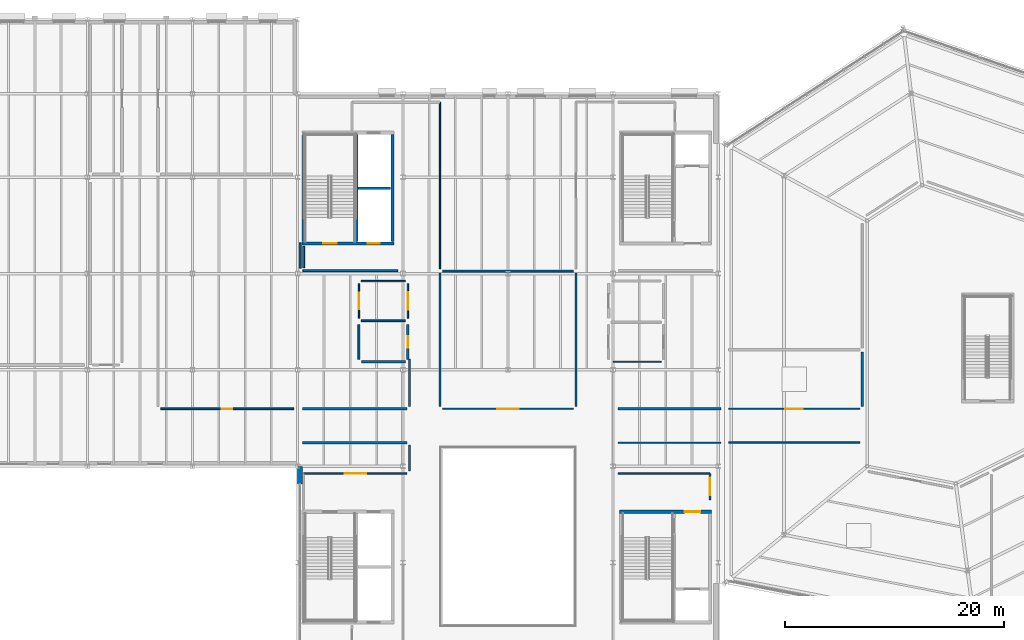
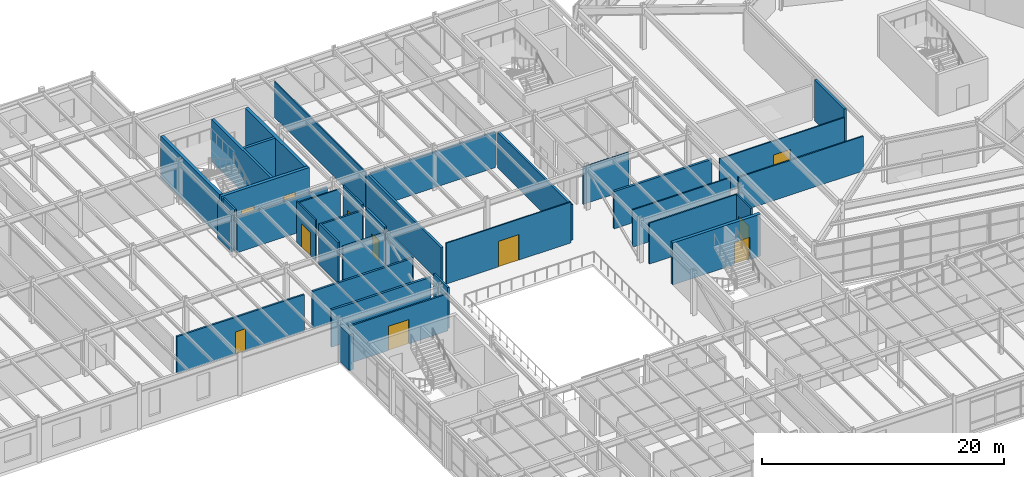
# One storey, part 74 of 88: 36 walls, 11 doors, 11 openings.
"""IFC4 building model written with IfcOpenShell, lengths in metres."""

from ifc_helpers import new_model, si_unit, direction, frame, frame_2d, origin, place, context, subcontext, project, spatial, rectangle, extrude, material, layer, layer_set, type_object, element, fill, save


model = new_model("IFC4")

# Units and contexts
model_context = context("Model", 3, precision=1e-05, world=origin(), true_north=direction((0.0, 1.0)))
body_context = subcontext(model_context, "Body", "Model", "MODEL_VIEW")
ifc_project = project(units=[si_unit("LENGTHUNIT", "METRE"), si_unit("AREAUNIT", "SQUARE_METRE"), si_unit("VOLUMEUNIT", "CUBIC_METRE"), si_unit("PLANEANGLEUNIT", "RADIAN"), si_unit("MASSUNIT", "GRAM", prefix="KILO")], contexts=[model_context])

# Site, building, storey
site_placement = place(None, origin())
site = spatial("IfcSite", under=ifc_project, at=site_placement, CompositionType="ELEMENT")
building_placement = place(site_placement, origin())
building = spatial("IfcBuilding", under=site, at=building_placement, Name="Sarnbrook Museum", CompositionType="ELEMENT")
storey_placement = place(building_placement, frame((0.0, 0.0, 10.10009765625)))
storey = spatial("IfcBuildingStorey", under=building, at=storey_placement, Name="L02", CompositionType="ELEMENT", Elevation=10.10009765625)

# Wall, opening, door
ifc_material_1 = material(Name="Concrete N50 (AS 3600, f'c = 50 MPa)", Category="concrete")
ifc_layer_1 = layer(ifc_material_1, 0.300048828125)
ifc_layer_set_1 = layer_set([ifc_layer_1], Name="Concrete N50 (AS 3600, f'c = 50 MPa)")
wall_type_1 = type_object("IfcWallType", Name="CoreWall_CWRC", PredefinedType="SHEAR", material=ifc_layer_set_1)
wall_1_placement = place(storey_placement, frame((118.60009765625, 70.25, 0.0), z_axis=(0.0, 0.0, 1.0), x_axis=(-1.0, 0.0, 0.0)))
wall_1 = element("IfcWall", 1, at=wall_1_placement, inside=storey, type_object=wall_type_1, Name="Core C1 Shear Wall N L02", PredefinedType="SHEAR", context=body_context, shape_type="SweptSolid", body=[
    extrude(rectangle(XDim=8.400146484375, YDim=0.300048828125, at=frame_2d((4.2001953125, 0.0))), origin(), (0.0, 0.0, 1.0), 4.244873046875),
])
opening_1_placement = place(wall_1_placement, frame((1.02490234375, 0.0, 0.0)))
opening_1 = element("IfcOpeningElement", 2, at=opening_1_placement, cuts=wall_1, Name="Opening D-LOB-C1-L02", PredefinedType="OPENING", context=body_context, shape_type="SweptSolid", body=[
    extrude(rectangle(XDim=1.449951171875, YDim=2.25, at=frame_2d((0.72509765625, 1.125))), frame((0.0, 0.16015625, 0.0), z_axis=(0.0, -1.0, 0.0), x_axis=(1.0, 0.0, 0.0)), (0.0, 0.0, 1.0), 0.320068359375),
])
ifc_material_2 = material(Name="Tasmanian Oak Acoustic Timber", Category="wood")
door_type_1 = type_object("IfcDoorType", Name="FireDoor_FD120W", OperationType="NOTDEFINED", PredefinedType="DOOR", material=ifc_material_2)
door_1_placement = place(opening_1_placement, origin())
door_1 = element("IfcDoor", 3, at=door_1_placement, inside=storey, type_object=door_type_1, Name="Core C1 Fire Lobby Entry Door L02", OperationType="SINGLE_SWING_RIGHT", OverallHeight=2.25, OverallWidth=1.449951171875, PredefinedType="DOOR", context=body_context, shape_type="SweptSolid", body=[
    extrude(rectangle(XDim=1.449951171875, YDim=2.25, at=frame_2d((0.72509765625, 1.125))), frame((0.0, 0.02490234375, 0.0), z_axis=(0.0, -1.0, 0.0), x_axis=(1.0, 0.0, 0.0)), (0.0, 0.0, 1.0), 0.050048828125),
])
fill(opening_1, door_1)

# Wall, openings, doors
wall_2_placement = place(storey_placement, frame((81.199951171875, 94.75, 0.0), z_axis=(0.0, 0.0, 1.0), x_axis=(1.0, 0.0, 0.0)))
wall_2 = element("IfcWall", 4, at=wall_2_placement, inside=storey, type_object=wall_type_1, Name="Core C4 Shear Wall S L02", PredefinedType="SHEAR", context=body_context, shape_type="SweptSolid", body=[
    extrude(rectangle(XDim=8.400146484375, YDim=0.300048828125, at=frame_2d((4.2001953125, 0.0))), origin(), (0.0, 0.0, 1.0), 4.244873046875),
])
opening_2_placement = place(wall_2_placement, frame((1.925048828125, 0.0, 0.0)))
opening_2 = element("IfcOpeningElement", 5, at=opening_2_placement, cuts=wall_2, Name="Opening D-ST-ST4-L02", PredefinedType="OPENING", context=body_context, shape_type="SweptSolid", body=[
    extrude(rectangle(XDim=1.25, YDim=2.199951171875, at=frame_2d((0.625, 1.10009765625))), frame((0.0, 0.16015625, 0.0), z_axis=(0.0, -1.0, 0.0), x_axis=(1.0, 0.0, 0.0)), (0.0, 0.0, 1.0), 0.320068359375),
])
opening_3_placement = place(wall_2_placement, frame((6.0, 0.0, 0.0)))
opening_3 = element("IfcOpeningElement", 6, at=opening_3_placement, cuts=wall_2, Name="Opening LD-PL3-L02", PredefinedType="OPENING", context=body_context, shape_type="SweptSolid", body=[
    extrude(rectangle(XDim=1.10009765625, YDim=2.199951171875, at=frame_2d((0.550048828125, 1.10009765625))), frame((0.0, 0.16015625, 0.0), z_axis=(0.0, -1.0, 0.0), x_axis=(1.0, 0.0, 0.0)), (0.0, 0.0, 1.0), 0.320068359375),
])
door_type_2 = type_object("IfcDoorType", Name="FireDoor_FD120", OperationType="NOTDEFINED", PredefinedType="DOOR", material=ifc_material_2)
door_2_placement = place(opening_2_placement, origin())
door_2 = element("IfcDoor", 7, at=door_2_placement, inside=storey, type_object=door_type_2, Name="Exit Stair ST4 Fire Door L02", OperationType="SINGLE_SWING_RIGHT", OverallHeight=2.199951171875, OverallWidth=1.25, PredefinedType="DOOR", context=body_context, shape_type="SweptSolid", body=[
    extrude(rectangle(XDim=1.25, YDim=2.199951171875, at=frame_2d((0.625, 1.10009765625))), frame((0.0, 0.02490234375, 0.0), z_axis=(0.0, -1.0, 0.0), x_axis=(1.0, 0.0, 0.0)), (0.0, 0.0, 1.0), 0.050048828125),
])
fill(opening_2, door_2)
ifc_material_3 = material(Name="Brushed Stainless Steel Grade 316", Category="steel")
door_type_3 = type_object("IfcDoorType", Name="LiftDoor_Pax110", OperationType="DOUBLE_DOOR_SLIDING", PredefinedType="DOOR", material=ifc_material_3)
door_3_placement = place(opening_3_placement, origin())
door_3 = element("IfcDoor", 8, at=door_3_placement, inside=storey, type_object=door_type_3, Name="Lift Landing Sliding Door LD-PL3-L02", OperationType="DOUBLE_DOOR_SLIDING", OverallHeight=2.199951171875, OverallWidth=1.10009765625, PredefinedType="DOOR", context=body_context, shape_type="SweptSolid", body=[
    extrude(rectangle(XDim=1.10009765625, YDim=2.199951171875, at=frame_2d((0.550048828125, 1.10009765625))), frame((0.0, 0.02490234375, 0.0), z_axis=(0.0, -1.0, 0.0), x_axis=(1.0, 0.0, 0.0)), (0.0, 0.0, 1.0), 0.050048828125),
])
fill(opening_3, door_3)

# Walls
for number, where, z_axis, x_axis, name in (
    (9, (89.449951171875, 94.909912109375, 0.0), (0.0, 0.0, 1.0), (0.0, 1.0, 0.0), "Core C4 Shear Wall E L02"),
    (10, (81.35009765625, 104.68994140625, 0.0), (0.0, 0.0, 1.0), (0.0, -1.0, 0.0), "Core C4 Shear Wall W L02"),
):
    element("IfcWall", number, at=place(storey_placement, frame(where, z_axis=z_axis, x_axis=x_axis)), inside=storey, type_object=wall_type_1, Name=name, PredefinedType="SHEAR", context=body_context, shape_type="SweptSolid", body=[
        extrude(rectangle(XDim=9.780029296875, YDim=0.300048828125, at=frame_2d((4.89013671875, 0.0))), origin(), (0.0, 0.0, 1.0), 4.244873046875),
    ])
ifc_material_4 = material(Name="Fire-Rated Acoustic Gypsum Plasterboard")
ifc_layer_2 = layer(ifc_material_4, 0.1201171875)
ifc_layer_set_2 = layer_set([ifc_layer_2], Name="Fire-Rated Acoustic Gypsum Plasterboard")
wall_type_2 = type_object("IfcWallType", Name="PartWall_P120", PredefinedType="PARTITIONING", material=ifc_layer_set_2)
wall_3_placement = place(storey_placement, frame((113.97998046875, 83.93994140625, 0.0), z_axis=(0.0, 0.0, 1.0), x_axis=(-1.0, 0.0, 0.0)))
element("IfcWall", 11, at=wall_3_placement, inside=storey, type_object=wall_type_2, Name="Interior Partition Wall L02-0454", PredefinedType="PARTITIONING", context=body_context, shape_type="SweptSolid", body=[
    extrude(rectangle(XDim=4.389892578125, YDim=0.1201171875, at=frame_2d((2.19482421875, 0.0))), origin(), (0.0, 0.0, 1.0), 3.762939453125),
])

# Wall, opening, door
wall_4_placement = place(storey_placement, frame((86.389892578125, 87.919921875, 0.0), z_axis=(0.0, 0.0, 1.0), x_axis=(0.0, 1.0, 0.0)))
wall_4 = element("IfcWall", 12, at=wall_4_placement, inside=storey, type_object=wall_type_2, Name="Interior Partition Wall L02-0461", PredefinedType="PARTITIONING", context=body_context, shape_type="SweptSolid", body=[
    extrude(rectangle(XDim=3.16015625, YDim=0.1201171875, at=frame_2d((1.580078125, 0.0))), origin(), (0.0, 0.0, 1.0), 4.1298828125),
])
opening_4_placement = place(wall_4_placement, frame((0.820068359375, 0.0, 0.0)))
opening_4 = element("IfcOpeningElement", 13, at=opening_4_placement, cuts=wall_4, Name="Opening D-L02-139", PredefinedType="OPENING", context=body_context, shape_type="SweptSolid", body=[
    extrude(rectangle(XDim=1.52001953125, YDim=2.340087890625, at=frame_2d((0.760009765625, 1.169921875))), frame((0.0, 0.070068359375, 0.0), z_axis=(0.0, -1.0, 0.0), x_axis=(1.0, 0.0, 0.0)), (0.0, 0.0, 1.0), 0.14013671875),
])
door_type_4 = type_object("IfcDoorType", Name="IntDoor_DT25", OperationType="NOTDEFINED", PredefinedType="DOOR", material=ifc_material_2)
door_4_placement = place(opening_4_placement, frame((1.52001953125, 0.0, 0.0), z_axis=(0.0, 0.0, 1.0), x_axis=(-1.0, 0.0, 0.0)))
door_4 = element("IfcDoor", 14, at=door_4_placement, inside=storey, type_object=door_type_4, Name="Cantilevered Stone Sculpture Gallery L02-7 Door D-L02-139", OperationType="SINGLE_SWING_LEFT", OverallHeight=2.340087890625, OverallWidth=1.52001953125, PredefinedType="DOOR", context=body_context, shape_type="SweptSolid", body=[
    extrude(rectangle(XDim=1.52001953125, YDim=2.340087890625, at=frame_2d((0.760009765625, 1.169921875))), frame((0.0, 0.02490234375, 0.0), z_axis=(0.0, -1.0, 0.0), x_axis=(1.0, 0.0, 0.0)), (0.0, 0.0, 1.0), 0.050048828125),
])
fill(opening_4, door_4)

wall_5_placement = place(storey_placement, frame((132.1201171875, 79.64990234375, 0.0), z_axis=(0.0, 0.0, 1.0), x_axis=(-1.0, 0.0, 0.0)))
wall_5 = element("IfcWall", 15, at=wall_5_placement, inside=storey, type_object=wall_type_2, Name="Interior Partition Wall L02-0468", PredefinedType="PARTITIONING", context=body_context, shape_type="SweptSolid", body=[
    extrude(rectangle(XDim=11.9677734375, YDim=0.1201171875, at=frame_2d((5.98388671875, 0.0))), origin(), (0.0, 0.0, 1.0), 3.510009765625),
])
opening_5_placement = place(wall_5_placement, frame((5.183837890625, 0.0, 0.0)))
opening_5 = element("IfcOpeningElement", 16, at=opening_5_placement, cuts=wall_5, Name="Opening D-L02-142", PredefinedType="OPENING", context=body_context, shape_type="SweptSolid", body=[
    extrude(rectangle(XDim=1.60009765625, YDim=2.10009765625, at=frame_2d((0.800048828125, 1.050048828125))), frame((0.0, 0.070068359375, 0.0), z_axis=(0.0, -1.0, 0.0), x_axis=(1.0, 0.0, 0.0)), (0.0, 0.0, 1.0), 0.14013671875),
])
ifc_material_5 = material(Name="Patinated Architectural Bronze")
door_type_5 = type_object("IfcDoorType", Name="ServiceGate_G1", OperationType="NOTDEFINED", PredefinedType="GATE", material=ifc_material_5)
door_5_placement = place(opening_5_placement, origin())
door_5 = element("IfcDoor", 17, at=door_5_placement, inside=storey, type_object=door_type_5, Name="Avian & Rainforest Ecology Gallery L02-2 Door D-L02-142", OperationType="DOUBLE_DOOR_SINGLE_SWING", OverallHeight=2.10009765625, OverallWidth=1.60009765625, PredefinedType="GATE", context=body_context, shape_type="SweptSolid", body=[
    extrude(rectangle(XDim=1.60009765625, YDim=2.10009765625, at=frame_2d((0.800048828125, 1.050048828125))), frame((0.0, 0.02490234375, 0.0), z_axis=(0.0, -1.0, 0.0), x_axis=(1.0, 0.0, 0.0)), (0.0, 0.0, 1.0), 0.050048828125),
])
fill(opening_5, door_5)

# Wall
wall_6_placement = place(storey_placement, frame((93.800048828125, 92.449951171875, 0.0), z_axis=(0.0, 0.0, 1.0), x_axis=(0.0, 1.0, 0.0)))
element("IfcWall", 18, at=wall_6_placement, inside=storey, type_object=wall_type_2, Name="Interior Partition Wall L02-0503", PredefinedType="PARTITIONING", context=body_context, shape_type="SweptSolid", body=[
    extrude(rectangle(XDim=15.18994140625, YDim=0.1201171875, at=frame_2d((7.594970703125, 0.0))), origin(), (0.0, 0.0, 1.0), 3.61279296875),
])

# Wall, opening, door
wall_7_placement = place(storey_placement, frame((105.969970703125, 79.64990234375, 0.0), z_axis=(0.0, 0.0, 1.0), x_axis=(-1.0, 0.0, 0.0)))
wall_7 = element("IfcWall", 19, at=wall_7_placement, inside=storey, type_object=wall_type_2, Name="Interior Partition Wall L02-0517", PredefinedType="PARTITIONING", context=body_context, shape_type="SweptSolid", body=[
    extrude(rectangle(XDim=11.93994140625, YDim=0.1201171875, at=frame_2d((5.969970703125, 0.0))), origin(), (0.0, 0.0, 1.0), 4.1298828125),
])
opening_6_placement = place(wall_7_placement, frame((4.9951171875, 0.0, 0.0)))
opening_6 = element("IfcOpeningElement", 20, at=opening_6_placement, cuts=wall_7, Name="Opening D-L02-150", PredefinedType="OPENING", context=body_context, shape_type="SweptSolid", body=[
    extrude(rectangle(XDim=1.949951171875, YDim=2.580078125, at=frame_2d((0.97509765625, 1.2900390625))), frame((0.0, 0.070068359375, 0.0), z_axis=(0.0, -1.0, 0.0), x_axis=(1.0, 0.0, 0.0)), (0.0, 0.0, 1.0), 0.14013671875),
])
door_type_6 = type_object("IfcDoorType", Name="IntDoor_DT36", OperationType="NOTDEFINED", PredefinedType="DOOR", material=ifc_material_2)
door_6_placement = place(opening_6_placement, origin())
door_6 = element("IfcDoor", 21, at=door_6_placement, inside=storey, type_object=door_type_6, Name="Curatorial Research Suite L02-11 Door D-L02-150", OperationType="DOUBLE_DOOR_SINGLE_SWING", OverallHeight=2.580078125, OverallWidth=1.949951171875, PredefinedType="DOOR", context=body_context, shape_type="SweptSolid", body=[
    extrude(rectangle(XDim=1.949951171875, YDim=2.580078125, at=frame_2d((0.97509765625, 1.2900390625))), frame((0.0, 0.02490234375, 0.0), z_axis=(0.0, -1.0, 0.0), x_axis=(1.0, 0.0, 0.0)), (0.0, 0.0, 1.0), 0.050048828125),
])
fill(opening_6, door_6)

# Walls
wall_8_placement = place(storey_placement, frame((110.050048828125, 76.550048828125, 0.0), z_axis=(0.0, 0.0, 1.0), x_axis=(1.0, 0.0, 0.0)))
element("IfcWall", 22, at=wall_8_placement, inside=storey, type_object=wall_type_2, Name="Interior Partition Wall L02-0524", PredefinedType="PARTITIONING", context=body_context, shape_type="SweptSolid", body=[
    extrude(rectangle(XDim=9.38232421875, YDim=0.1201171875, at=frame_2d((4.691162109375, 0.0))), origin(), (0.0, 0.0, 1.0), 3.762939453125),
])
ifc_layer_3 = layer(ifc_material_4, 0.135009765625)
ifc_layer_set_3 = layer_set([ifc_layer_3], Name="Fire-Rated Acoustic Gypsum Plasterboard")
wall_type_3 = type_object("IfcWallType", Name="PartWall_P135", PredefinedType="PARTITIONING", material=ifc_layer_set_3)
wall_9_placement = place(storey_placement, frame((86.6201171875, 91.31005859375, 0.0), z_axis=(0.0, 0.0, 1.0), x_axis=(1.0, 0.0, 0.0)))
element("IfcWall", 23, at=wall_9_placement, inside=storey, type_object=wall_type_3, Name="Interior Partition Wall L02-0460", PredefinedType="PARTITIONING", context=body_context, shape_type="SweptSolid", body=[
    extrude(rectangle(XDim=4.009765625, YDim=0.135009765625, at=frame_2d((2.0048828125, 0.0))), origin(), (0.0, 0.0, 1.0), 3.762939453125),
])
wall_10_placement = place(storey_placement, frame((120.15234375, 76.550048828125, 0.0), z_axis=(0.0, 0.0, 1.0), x_axis=(1.0, 0.0, 0.0)))
element("IfcWall", 24, at=wall_10_placement, inside=storey, type_object=wall_type_3, Name="Interior Partition Wall L02-0467", PredefinedType="PARTITIONING", context=body_context, shape_type="SweptSolid", body=[
    extrude(rectangle(XDim=11.9677734375, YDim=0.135009765625, at=frame_2d((5.98388671875, 0.0))), origin(), (0.0, 0.0, 1.0), 3.510009765625),
])
wall_11_placement = place(storey_placement, frame((118.43994140625, 73.75, 0.0), z_axis=(0.0, 0.0, 1.0), x_axis=(-1.0, 0.0, 0.0)))
element("IfcWall", 25, at=wall_11_placement, inside=storey, type_object=wall_type_3, Name="Interior Partition Wall L02-0523", PredefinedType="PARTITIONING", context=body_context, shape_type="SweptSolid", body=[
    extrude(rectangle(XDim=8.389892578125, YDim=0.135009765625, at=frame_2d((4.19482421875, 0.0))), origin(), (0.0, 0.0, 1.0), 4.1298828125),
])

# Wall, opening, door
ifc_layer_4 = layer(ifc_material_4, 0.14990234375)
ifc_layer_set_4 = layer_set([ifc_layer_4], Name="Fire-Rated Acoustic Gypsum Plasterboard")
wall_type_4 = type_object("IfcWallType", Name="PartWall_P150", PredefinedType="PARTITIONING", material=ifc_layer_set_4)
wall_12_placement = place(storey_placement, frame((90.860107421875, 91.080078125, 0.0), z_axis=(0.0, 0.0, 1.0), x_axis=(0.0, -1.0, 0.0)))
wall_12 = element("IfcWall", 26, at=wall_12_placement, inside=storey, type_object=wall_type_4, Name="Interior Partition Wall L02-0459", PredefinedType="PARTITIONING", context=body_context, shape_type="SweptSolid", body=[
    extrude(rectangle(XDim=3.16015625, YDim=0.14990234375, at=frame_2d((1.580078125, 0.0))), origin(), (0.0, 0.0, 1.0), 4.1298828125),
])
opening_7_placement = place(wall_12_placement, frame((0.780029296875, 0.0, 0.0)))
opening_7 = element("IfcOpeningElement", 27, at=opening_7_placement, cuts=wall_12, Name="Opening D-L02-138", PredefinedType="OPENING", context=body_context, shape_type="SweptSolid", body=[
    extrude(rectangle(XDim=1.60009765625, YDim=2.10009765625, at=frame_2d((0.800048828125, 1.050048828125))), frame((0.0, 0.0849609375, 0.0), z_axis=(0.0, -1.0, 0.0), x_axis=(1.0, 0.0, 0.0)), (0.0, 0.0, 1.0), 0.169921875),
])
door_7_placement = place(opening_7_placement, frame((1.60009765625, 0.0, 0.0), z_axis=(0.0, 0.0, 1.0), x_axis=(-1.0, 0.0, 0.0)))
door_7 = element("IfcDoor", 28, at=door_7_placement, inside=storey, type_object=door_type_5, Name="Accessible Unisex Toilet L02 Door D-L02-138", OperationType="DOUBLE_DOOR_SINGLE_SWING", OverallHeight=2.10009765625, OverallWidth=1.60009765625, PredefinedType="GATE", context=body_context, shape_type="SweptSolid", body=[
    extrude(rectangle(XDim=1.60009765625, YDim=2.10009765625, at=frame_2d((0.800048828125, 1.050048828125))), frame((0.0, 0.02490234375, 0.0), z_axis=(0.0, -1.0, 0.0), x_axis=(1.0, 0.0, 0.0)), (0.0, 0.0, 1.0), 0.050048828125),
])
fill(opening_7, door_7)

wall_13_placement = place(storey_placement, frame((90.77001953125, 73.75, 0.0), z_axis=(0.0, 0.0, 1.0), x_axis=(-1.0, 0.0, 0.0)))
wall_13 = element("IfcWall", 29, at=wall_13_placement, inside=storey, type_object=wall_type_4, Name="Interior Partition Wall L02-0494", PredefinedType="PARTITIONING", context=body_context, shape_type="SweptSolid", body=[
    extrude(rectangle(XDim=9.409912109375, YDim=0.14990234375, at=frame_2d((4.705078125, 0.0))), origin(), (0.0, 0.0, 1.0), 3.762939453125),
])
opening_8_placement = place(wall_13_placement, frame((3.72509765625, 0.0, 0.0)))
opening_8 = element("IfcOpeningElement", 30, at=opening_8_placement, cuts=wall_13, Name="Opening D-L02-146", PredefinedType="OPENING", context=body_context, shape_type="SweptSolid", body=[
    extrude(rectangle(XDim=1.9599609375, YDim=2.4599609375, at=frame_2d((0.97998046875, 1.22998046875))), frame((0.0, 0.0849609375, 0.0), z_axis=(0.0, -1.0, 0.0), x_axis=(1.0, 0.0, 0.0)), (0.0, 0.0, 1.0), 0.169921875),
])
door_type_7 = type_object("IfcDoorType", Name="IntDoor_DT32", OperationType="NOTDEFINED", PredefinedType="DOOR", material=ifc_material_2)
door_8_placement = place(opening_8_placement, frame((1.9599609375, 0.0, 0.0), z_axis=(0.0, 0.0, 1.0), x_axis=(-1.0, 0.0, 0.0)))
door_8 = element("IfcDoor", 31, at=door_8_placement, inside=storey, type_object=door_type_7, Name="Travelling Exhibition Hall L02-6 Door D-L02-146", OperationType="DOUBLE_DOOR_SINGLE_SWING", OverallHeight=2.4599609375, OverallWidth=1.9599609375, PredefinedType="DOOR", context=body_context, shape_type="SweptSolid", body=[
    extrude(rectangle(XDim=1.9599609375, YDim=2.4599609375, at=frame_2d((0.97998046875, 1.22998046875))), frame((0.0, 0.02490234375, 0.0), z_axis=(0.0, -1.0, 0.0), x_axis=(1.0, 0.0, 0.0)), (0.0, 0.0, 1.0), 0.050048828125),
])
fill(opening_8, door_8)

wall_14_placement = place(storey_placement, frame((118.449951171875, 71.342041015625, 0.0), z_axis=(0.0, 0.0, 1.0), x_axis=(0.0, 1.0, 0.0)))
wall_14 = element("IfcWall", 32, at=wall_14_placement, inside=storey, type_object=wall_type_4, Name="Interior Partition Wall L02-0522", PredefinedType="PARTITIONING", context=body_context, shape_type="SweptSolid", body=[
    extrude(rectangle(XDim=2.39794921875, YDim=0.14990234375, at=frame_2d((1.198974609375, 0.0))), origin(), (0.0, 0.0, 1.0), 4.1298828125),
])
opening_9_placement = place(wall_14_placement, frame((0.39892578125, 0.0, 0.0)))
opening_9 = element("IfcOpeningElement", 33, at=opening_9_placement, cuts=wall_14, Name="Opening D-L02-153", PredefinedType="OPENING", context=body_context, shape_type="SweptSolid", body=[
    extrude(rectangle(XDim=1.60009765625, YDim=2.10009765625, at=frame_2d((0.800048828125, 1.050048828125))), frame((0.0, 0.0849609375, 0.0), z_axis=(0.0, -1.0, 0.0), x_axis=(1.0, 0.0, 0.0)), (0.0, 0.0, 1.0), 0.169921875),
])
door_9_placement = place(opening_9_placement, origin())
door_9 = element("IfcDoor", 34, at=door_9_placement, inside=storey, type_object=door_type_5, Name="Avian & Rainforest Ecology Gallery L02-14 Door D-L02-153", OperationType="DOUBLE_DOOR_SINGLE_SWING", OverallHeight=2.10009765625, OverallWidth=1.60009765625, PredefinedType="GATE", context=body_context, shape_type="SweptSolid", body=[
    extrude(rectangle(XDim=1.60009765625, YDim=2.10009765625, at=frame_2d((0.800048828125, 1.050048828125))), frame((0.0, 0.02490234375, 0.0), z_axis=(0.0, -1.0, 0.0), x_axis=(1.0, 0.0, 0.0)), (0.0, 0.0, 1.0), 0.050048828125),
])
fill(opening_9, door_9)

# Walls
ifc_layer_5 = layer(ifc_material_4, 0.1650390625)
ifc_layer_set_5 = layer_set([ifc_layer_5], Name="Fire-Rated Acoustic Gypsum Plasterboard")
wall_type_5 = type_object("IfcWallType", Name="PartWall_P165", PredefinedType="PARTITIONING", material=ifc_layer_set_5)
wall_15_placement = place(storey_placement, frame((90.6298828125, 87.68994140625, 0.0), z_axis=(0.0, 0.0, 1.0), x_axis=(-1.0, 0.0, 0.0)))
element("IfcWall", 35, at=wall_15_placement, inside=storey, type_object=wall_type_5, Name="Interior Partition Wall L02-0458", PredefinedType="PARTITIONING", context=body_context, shape_type="SweptSolid", body=[
    extrude(rectangle(XDim=4.009765625, YDim=0.1650390625, at=frame_2d((2.0048828125, 0.0))), origin(), (0.0, 0.0, 1.0), 3.762939453125),
])
wall_16_placement = place(storey_placement, frame((91.0, 76.320068359375, 0.0), z_axis=(0.0, 0.0, 1.0), x_axis=(0.0, -1.0, 0.0)))
element("IfcWall", 36, at=wall_16_placement, inside=storey, type_object=wall_type_5, Name="Interior Partition Wall L02-0493", PredefinedType="PARTITIONING", context=body_context, shape_type="SweptSolid", body=[
    extrude(rectangle(XDim=2.340087890625, YDim=0.1650390625, at=frame_2d((1.169921875, 0.0))), origin(), (0.0, 0.0, 1.0), 4.1298828125),
])
wall_17_placement = place(storey_placement, frame((91.0, 84.169921875, 0.0), z_axis=(0.0, 0.0, 1.0), x_axis=(0.0, -1.0, 0.0)))
element("IfcWall", 37, at=wall_17_placement, inside=storey, type_object=wall_type_5, Name="Interior Partition Wall L02-0500", PredefinedType="PARTITIONING", context=body_context, shape_type="SweptSolid", body=[
    extrude(rectangle(XDim=4.2900390625, YDim=0.1650390625, at=frame_2d((2.14501953125, 0.0))), origin(), (0.0, 0.0, 1.0), 3.61279296875),
])
wall_18_placement = place(storey_placement, frame((81.02001953125, 92.47998046875, 0.0), z_axis=(0.0, 0.0, 1.0), x_axis=(0.0, 1.0, 0.0)))
element("IfcWall", 38, at=wall_18_placement, inside=storey, type_object=wall_type_5, Name="Interior Partition Wall L02-0507", PredefinedType="PARTITIONING", context=body_context, shape_type="SweptSolid", body=[
    extrude(rectangle(XDim=2.320068359375, YDim=0.1650390625, at=frame_2d((1.16015625, 0.0))), origin(), (0.0, 0.0, 1.0), 3.722900390625),
])

# Wall, opening, door
wall_19_placement = place(storey_placement, frame((80.43994140625, 79.64990234375, 0.0), z_axis=(0.0, 0.0, 1.0), x_axis=(-1.0, 0.0, 0.0)))
wall_19 = element("IfcWall", 39, at=wall_19_placement, inside=storey, type_object=wall_type_5, Name="Interior Partition Wall L02-0570", PredefinedType="PARTITIONING", context=body_context, shape_type="SweptSolid", body=[
    extrude(rectangle(XDim=12.159912109375, YDim=0.1650390625, at=frame_2d((6.080078125, 0.0))), origin(), (0.0, 0.0, 1.0), 3.722900390625),
])
opening_10_placement = place(wall_19_placement, frame((5.60009765625, 0.0, 0.0)))
opening_10 = element("IfcOpeningElement", 40, at=opening_10_placement, cuts=wall_19, Name="Opening D-L02-166", PredefinedType="OPENING", context=body_context, shape_type="SweptSolid", body=[
    extrude(rectangle(XDim=0.9599609375, YDim=2.239990234375, at=frame_2d((0.47998046875, 1.1201171875))), frame((0.0, 0.092529296875, 0.0), z_axis=(0.0, -1.0, 0.0), x_axis=(1.0, 0.0, 0.0)), (0.0, 0.0, 1.0), 0.18505859375),
])
door_type_8 = type_object("IfcDoorType", Name="IntDoor_DT14", OperationType="NOTDEFINED", PredefinedType="DOOR", material=ifc_material_2)
door_10_placement = place(opening_10_placement, origin())
door_10 = element("IfcDoor", 41, at=door_10_placement, inside=storey, type_object=door_type_8, Name="Conservation Science Laboratory L02-28 Door D-L02-166", OperationType="SINGLE_SWING_LEFT", OverallHeight=2.239990234375, OverallWidth=0.9599609375, PredefinedType="DOOR", context=body_context, shape_type="SweptSolid", body=[
    extrude(rectangle(XDim=0.9599609375, YDim=2.239990234375, at=frame_2d((0.47998046875, 1.1201171875))), frame((0.0, 0.02490234375, 0.0), z_axis=(0.0, -1.0, 0.0), x_axis=(1.0, 0.0, 0.0)), (0.0, 0.0, 1.0), 0.050048828125),
])
fill(opening_10, door_10)

# Walls
wall_20_placement = place(storey_placement, frame((105.969970703125, 92.219970703125, 0.0), z_axis=(0.0, 0.0, 1.0), x_axis=(-1.0, 0.0, 0.0)))
element("IfcWall", 42, at=wall_20_placement, inside=storey, type_object=wall_type_5, Name="Interior Partition Wall L02-0577", PredefinedType="PARTITIONING", context=body_context, shape_type="SweptSolid", body=[
    extrude(rectangle(XDim=11.93994140625, YDim=0.1650390625, at=frame_2d((5.969970703125, 0.0))), origin(), (0.0, 0.0, 1.0), 3.61279296875),
])
ifc_layer_6 = layer(ifc_material_4, 0.179931640625)
ifc_layer_set_6 = layer_set([ifc_layer_6], Name="Fire-Rated Acoustic Gypsum Plasterboard")
wall_type_6 = type_object("IfcWallType", Name="PartWall_P180", PredefinedType="PARTITIONING", material=ifc_layer_set_6)
wall_21_placement = place(storey_placement, frame((86.389892578125, 84.169921875, 0.0), z_axis=(0.0, 0.0, 1.0), x_axis=(0.0, 1.0, 0.0)))
element("IfcWall", 43, at=wall_21_placement, inside=storey, type_object=wall_type_6, Name="Interior Partition Wall L02-0464", PredefinedType="PARTITIONING", context=body_context, shape_type="SweptSolid", body=[
    extrude(rectangle(XDim=3.16015625, YDim=0.179931640625, at=frame_2d((1.580078125, 0.0))), origin(), (0.0, 0.0, 1.0), 4.1298828125),
])
wall_22_placement = place(storey_placement, frame((81.280029296875, 92.260009765625, 0.0), z_axis=(0.0, 0.0, 1.0), x_axis=(1.0, 0.0, 0.0)))
element("IfcWall", 44, at=wall_22_placement, inside=storey, type_object=wall_type_6, Name="Interior Partition Wall L02-0499", PredefinedType="PARTITIONING", context=body_context, shape_type="SweptSolid", body=[
    extrude(rectangle(XDim=8.639892578125, YDim=0.179931640625, at=frame_2d((4.31982421875, 0.0))), origin(), (0.0, 0.0, 1.0), 3.61279296875),
])
wall_23_placement = place(storey_placement, frame((81.35009765625, 94.47998046875, 0.0), z_axis=(0.0, 0.0, 1.0), x_axis=(0.0, -1.0, 0.0)))
element("IfcWall", 45, at=wall_23_placement, inside=storey, type_object=wall_type_6, Name="Interior Partition Wall L02-0506", PredefinedType="PARTITIONING", context=body_context, shape_type="SweptSolid", body=[
    extrude(rectangle(XDim=1.969970703125, YDim=0.179931640625, at=frame_2d((0.98486328125, 0.0))), origin(), (0.0, 0.0, 1.0), 4.1298828125),
])
ifc_layer_7 = layer(ifc_material_4, 0.195068359375)
ifc_layer_set_7 = layer_set([ifc_layer_7], Name="Fire-Rated Acoustic Gypsum Plasterboard")
wall_type_7 = type_object("IfcWallType", Name="PartWall_P195", PredefinedType="PARTITIONING", material=ifc_layer_set_7)
wall_24_placement = place(storey_placement, frame((90.6298828125, 83.93994140625, 0.0), z_axis=(0.0, 0.0, 1.0), x_axis=(-1.0, 0.0, 0.0)))
element("IfcWall", 46, at=wall_24_placement, inside=storey, type_object=wall_type_7, Name="Interior Partition Wall L02-0463", PredefinedType="PARTITIONING", context=body_context, shape_type="SweptSolid", body=[
    extrude(rectangle(XDim=4.009765625, YDim=0.195068359375, at=frame_2d((2.0048828125, 0.0))), origin(), (0.0, 0.0, 1.0), 3.762939453125),
])
wall_25_placement = place(storey_placement, frame((90.77001953125, 79.64990234375, 0.0), z_axis=(0.0, 0.0, 1.0), x_axis=(-1.0, 0.0, 0.0)))
element("IfcWall", 47, at=wall_25_placement, inside=storey, type_object=wall_type_7, Name="Interior Partition Wall L02-0498", PredefinedType="PARTITIONING", context=body_context, shape_type="SweptSolid", body=[
    extrude(rectangle(XDim=9.52001953125, YDim=0.195068359375, at=frame_2d((4.760009765625, 0.0))), origin(), (0.0, 0.0, 1.0), 3.762939453125),
])
wall_26_placement = place(storey_placement, frame((106.199951171875, 92.030029296875, 0.0), z_axis=(0.0, 0.0, 1.0), x_axis=(0.0, -1.0, 0.0)))
element("IfcWall", 48, at=wall_26_placement, inside=storey, type_object=wall_type_7, Name="Interior Partition Wall L02-0519", PredefinedType="PARTITIONING", context=body_context, shape_type="SweptSolid", body=[
    extrude(rectangle(XDim=12.150146484375, YDim=0.195068359375, at=frame_2d((6.0751953125, 0.0))), origin(), (0.0, 0.0, 1.0), 3.61279296875),
])

# Wall, opening, door
ifc_layer_8 = layer(ifc_material_4, 0.2099609375)
ifc_layer_set_8 = layer_set([ifc_layer_8], Name="Fire-Rated Acoustic Gypsum Plasterboard")
wall_type_8 = type_object("IfcWallType", Name="PartWall_P210", PredefinedType="PARTITIONING", material=ifc_layer_set_8)
wall_27_placement = place(storey_placement, frame((90.860107421875, 87.330078125, 0.0), z_axis=(0.0, 0.0, 1.0), x_axis=(0.0, -1.0, 0.0)))
wall_27 = element("IfcWall", 49, at=wall_27_placement, inside=storey, type_object=wall_type_8, Name="Interior Partition Wall L02-0462", PredefinedType="PARTITIONING", context=body_context, shape_type="SweptSolid", body=[
    extrude(rectangle(XDim=3.16015625, YDim=0.2099609375, at=frame_2d((1.580078125, 0.0))), origin(), (0.0, 0.0, 1.0), 4.1298828125),
])
opening_11_placement = place(wall_27_placement, frame((1.054931640625, 0.0, 0.0)))
opening_11 = element("IfcOpeningElement", 50, at=opening_11_placement, cuts=wall_27, Name="Opening D-L02-140", PredefinedType="OPENING", context=body_context, shape_type="SweptSolid", body=[
    extrude(rectangle(XDim=1.050048828125, YDim=2.14990234375, at=frame_2d((0.52490234375, 1.074951171875))), frame((0.0, 0.114990234375, 0.0), z_axis=(0.0, -1.0, 0.0), x_axis=(1.0, 0.0, 0.0)), (0.0, 0.0, 1.0), 0.22998046875),
])
door_type_9 = type_object("IfcDoorType", Name="FireDoor_FD60", OperationType="NOTDEFINED", PredefinedType="DOOR", material=ifc_material_2)
door_11_placement = place(opening_11_placement, frame((1.050048828125, 0.0, 0.0), z_axis=(0.0, 0.0, 1.0), x_axis=(-1.0, 0.0, 0.0)))
door_11 = element("IfcDoor", 51, at=door_11_placement, inside=storey, type_object=door_type_9, Name="Curatorial Staff Toilet L02 Door D-L02-140", OperationType="SINGLE_SWING_RIGHT", OverallHeight=2.14990234375, OverallWidth=1.050048828125, PredefinedType="DOOR", context=body_context, shape_type="SweptSolid", body=[
    extrude(rectangle(XDim=1.050048828125, YDim=2.14990234375, at=frame_2d((0.52490234375, 1.074951171875))), frame((0.0, 0.02490234375, 0.0), z_axis=(0.0, -1.0, 0.0), x_axis=(1.0, 0.0, 0.0)), (0.0, 0.0, 1.0), 0.050048828125),
])
fill(opening_11, door_11)

# Walls
wall_28_placement = place(storey_placement, frame((132.35009765625, 84.8154296875, 0.0), z_axis=(0.0, 0.0, 1.0), x_axis=(0.0, -1.0, 0.0)))
element("IfcWall", 52, at=wall_28_placement, inside=storey, type_object=wall_type_8, Name="Interior Partition Wall L02-0469", PredefinedType="PARTITIONING", context=body_context, shape_type="SweptSolid", body=[
    extrude(rectangle(XDim=4.935546875, YDim=0.2099609375, at=frame_2d((2.4677734375, 0.0))), origin(), (0.0, 0.0, 1.0), 4.1298828125),
])
wall_29_placement = place(storey_placement, frame((81.25, 76.550048828125, 0.0), z_axis=(0.0, 0.0, 1.0), x_axis=(1.0, 0.0, 0.0)))
element("IfcWall", 53, at=wall_29_placement, inside=storey, type_object=wall_type_8, Name="Interior Partition Wall L02-0497", PredefinedType="PARTITIONING", context=body_context, shape_type="SweptSolid", body=[
    extrude(rectangle(XDim=9.52001953125, YDim=0.2099609375, at=frame_2d((4.760009765625, 0.0))), origin(), (0.0, 0.0, 1.0), 3.762939453125),
])
wall_30_placement = place(storey_placement, frame((93.800048828125, 79.8798828125, 0.0), z_axis=(0.0, 0.0, 1.0), x_axis=(0.0, 1.0, 0.0)))
element("IfcWall", 54, at=wall_30_placement, inside=storey, type_object=wall_type_8, Name="Interior Partition Wall L02-0518", PredefinedType="PARTITIONING", context=body_context, shape_type="SweptSolid", body=[
    extrude(rectangle(XDim=12.150146484375, YDim=0.2099609375, at=frame_2d((6.0751953125, 0.0))), origin(), (0.0, 0.0, 1.0), 3.61279296875),
])
wall_31_placement = place(storey_placement, frame((119.432373046875, 79.64990234375, 0.0), z_axis=(0.0, 0.0, 1.0), x_axis=(-1.0, 0.0, 0.0)))
element("IfcWall", 55, at=wall_31_placement, inside=storey, type_object=wall_type_8, Name="Interior Partition Wall L02-0525", PredefinedType="PARTITIONING", context=body_context, shape_type="SweptSolid", body=[
    extrude(rectangle(XDim=9.38232421875, YDim=0.2099609375, at=frame_2d((4.691162109375, 0.0))), origin(), (0.0, 0.0, 1.0), 3.762939453125),
])
ifc_material_6 = material(Name="Concrete N40 (AS 3600, f'c = 40 MPa)", Category="concrete")
ifc_layer_9 = layer(ifc_material_6, 0.239990234375)
ifc_layer_set_9 = layer_set([ifc_layer_9], Name="Concrete N40 (AS 3600, f'c = 40 MPa)")
wall_type_9 = type_object("IfcWallType", Name="ShaftWall_SWRC", PredefinedType="SOLIDWALL", material=ifc_layer_set_9)
wall_32_placement = place(storey_placement, frame((86.18994140625, 94.909912109375, 0.0), z_axis=(0.0, 0.0, 1.0), x_axis=(0.0, 1.0, 0.0)))
element("IfcWall", 56, at=wall_32_placement, inside=storey, type_object=wall_type_9, Name="Stairwell ST4 Fire Shaft Wall L02", PredefinedType="SOLIDWALL", context=body_context, shape_type="SweptSolid", body=[
    extrude(rectangle(XDim=9.780029296875, YDim=0.239990234375, at=frame_2d((4.89013671875, 0.0))), origin(), (0.0, 0.0, 1.0), 4.244873046875),
])
wall_33_placement = place(storey_placement, frame((86.320068359375, 99.800048828125, 0.0), z_axis=(0.0, 0.0, 1.0), x_axis=(1.0, 0.0, 0.0)))
element("IfcWall", 57, at=wall_33_placement, inside=storey, type_object=wall_type_9, Name="Core C4 Twin Lift Divider Wall L02", PredefinedType="SOLIDWALL", context=body_context, shape_type="SweptSolid", body=[
    extrude(rectangle(XDim=2.969970703125, YDim=0.239990234375, at=frame_2d((1.48486328125, 0.0))), origin(), (0.0, 0.0, 1.0), 4.244873046875),
])
ifc_material_7 = material(Name="Barrabool Sandstone Ashlar Cladding", Category="masonry")
ifc_layer_10 = layer(ifc_material_7, 0.419921875)
ifc_layer_set_10 = layer_set([ifc_layer_10], Name="Barrabool Sandstone Ashlar Cladding")
wall_type_10 = type_object("IfcWallType", Name="Wall_SandstoneExt420", PredefinedType="SOLIDWALL", material=ifc_layer_set_10)
wall_34_placement = place(storey_placement, frame((81.010009765625, 74.39990234375, 0.0), z_axis=(0.0, 0.0, 1.0), x_axis=(0.0, -1.0, 0.0)))
element("IfcWall", 58, at=wall_34_placement, inside=storey, type_object=wall_type_10, Name="Classical Sandstone Facade Pier L02-14.1", PredefinedType="SOLIDWALL", context=body_context, shape_type="SweptSolid", body=[
    extrude(rectangle(XDim=1.599853515625, YDim=0.419921875, at=frame_2d((0.7998046875, 0.0))), origin(), (0.0, 0.0, 1.0), 3.6279296875),
])

save(model, "model.ifc")
